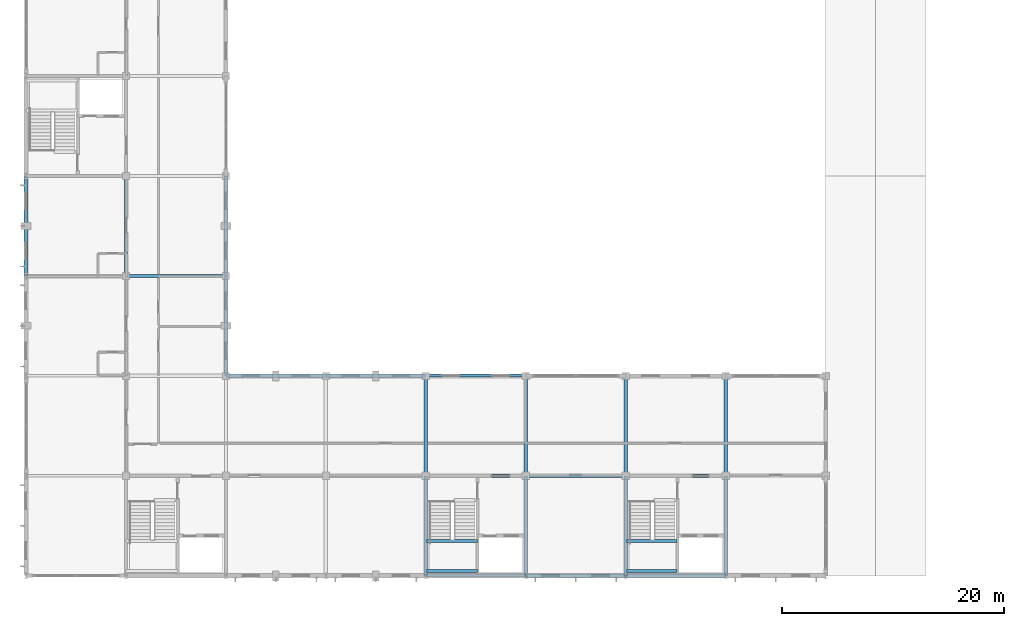
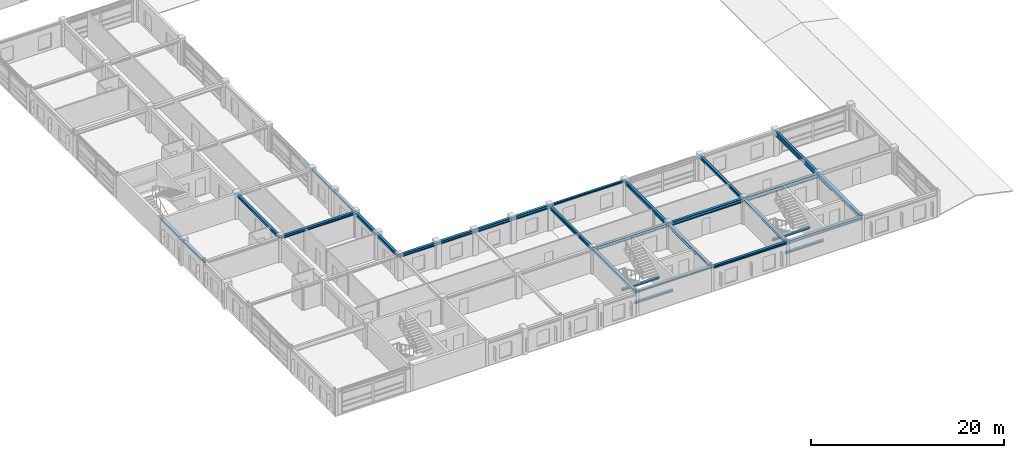
# One storey, part 16 of 91: 26 beams.
"""IFC4 building model written with IfcOpenShell, lengths in metres."""

from ifc_helpers import new_model, si_unit, direction, frame, origin, origin_2d, place, context, subcontext, project, spatial, i_section, extrude, material, material_profile, profile_set, type_object, element, save


model = new_model("IFC4")

# Units and contexts
model_context = context("Model", 3, precision=1e-05, world=origin(), true_north=direction((0.0, 1.0)))
body_context = subcontext(model_context, "Body", "Model", "MODEL_VIEW")
ifc_project = project(units=[si_unit("LENGTHUNIT", "METRE"), si_unit("AREAUNIT", "SQUARE_METRE"), si_unit("VOLUMEUNIT", "CUBIC_METRE"), si_unit("PLANEANGLEUNIT", "RADIAN"), si_unit("MASSUNIT", "GRAM", prefix="KILO")], contexts=[model_context])

# Site, building, storey
site_placement = place(None, origin())
site = spatial("IfcSite", under=ifc_project, at=site_placement, CompositionType="ELEMENT")
building_placement = place(site_placement, origin())
building = spatial("IfcBuilding", under=site, at=building_placement, Name="Palais des Congres Ocreval", CompositionType="ELEMENT")
storey_placement = place(building_placement, frame((0.0, 0.0, 8.159912109375)))
storey = spatial("IfcBuildingStorey", under=building, at=storey_placement, Name="L02", CompositionType="ELEMENT", Elevation=8.159912109375)

# Beams
ifc_material = material(Name="Steel S355", Category="steel")
ifc_material_profile_1 = material_profile(ifc_material, i_section(OverallWidth=0.260009765625, OverallDepth=0.260009765625, WebThickness=0.010009765625, FlangeThickness=0.017578125, at=origin_2d()), Name="HEB 260")
ifc_profile_set_1 = profile_set([ifc_material_profile_1], Name="Steel S355")
beam_type_1 = type_object("IfcBeamType", Name="Opening Lintel HEB 260 Steel S355", PredefinedType="LINTEL", material=ifc_profile_set_1)
for number, where, z_axis, x_axis, name in (
    (1, (0.0, 27.02001953125, 2.969970703125), (0.0, 1.0, 0.0), (-1.0, 0.0, 0.0), "Girder LN01 L02"),
    (2, (18.0, 27.02001953125, 2.969970703125), (0.0, 1.0, 0.0), (-1.0, 0.0, 0.0), "Girder LN01 L02"),
):
    element("IfcBeam", number, at=place(storey_placement, frame(where, z_axis=z_axis, x_axis=x_axis)), inside=storey, type_object=beam_type_1, Name=name, PredefinedType="LINTEL", context=body_context, shape_type="SweptSolid", body=[
        extrude(i_section(OverallWidth=0.260009765625, OverallDepth=0.260009765625, WebThickness=0.010009765625, FlangeThickness=0.017578125, at=origin_2d()), origin(), (0.0, 0.0, 1.0), 8.9599609375),
    ])
for number, where, z_axis, x_axis, name in (
    (3, (36.02001953125, 0.419921875, 1.35009765625), (1.0, 0.0, 0.0), (0.0, 1.0, 0.0), "Stair Landing Support Beam ST02 L02-1"),
    (4, (36.02001953125, 3.1201171875, 1.35009765625), (1.0, 0.0, 0.0), (0.0, 1.0, 0.0), "Stair Landing Support Beam ST02 L02-2"),
    (5, (54.02001953125, 0.419921875, 1.35009765625), (1.0, 0.0, 0.0), (0.0, 1.0, 0.0), "Stair Landing Support Beam ST04 L02-1"),
    (6, (54.02001953125, 3.1201171875, 1.35009765625), (1.0, 0.0, 0.0), (0.0, 1.0, 0.0), "Stair Landing Support Beam ST04 L02-2"),
):
    element("IfcBeam", number, at=place(storey_placement, frame(where, z_axis=z_axis, x_axis=x_axis)), inside=storey, type_object=beam_type_1, Name=name, PredefinedType="LINTEL", context=body_context, shape_type="SweptSolid", body=[
        extrude(i_section(OverallWidth=0.260009765625, OverallDepth=0.260009765625, WebThickness=0.010009765625, FlangeThickness=0.017578125, at=origin_2d()), origin(), (0.0, 0.0, 1.0), 4.60986328125),
    ])
ifc_material_profile_2 = material_profile(ifc_material, i_section(OverallWidth=0.239990234375, OverallDepth=0.22998046875, WebThickness=0.007568359375, FlangeThickness=0.011962890625, at=origin_2d()), Name="HEA 240")
ifc_profile_set_2 = profile_set([ifc_material_profile_2], Name="Steel S355")
beam_type_2 = type_object("IfcBeamType", Name="Perimeter Spandrel HEA 240 Steel S355", PredefinedType="SPANDREL", material=ifc_profile_set_2)
for number, where, z_axis, x_axis, name in (
    (7, (36.02001953125, 0.0, 2.985107421875), (1.0, 0.0, 0.0), (0.0, 1.0, 0.0), "Beam SP01 L02"),
    (8, (36.02001953125, 18.0, 2.985107421875), (1.0, 0.0, 0.0), (0.0, 1.0, 0.0), "Beam SP01 L02"),
):
    element("IfcBeam", number, at=place(storey_placement, frame(where, z_axis=z_axis, x_axis=x_axis)), inside=storey, type_object=beam_type_2, Name=name, PredefinedType="SPANDREL", context=body_context, shape_type="SweptSolid", body=[
        extrude(i_section(OverallWidth=0.239990234375, OverallDepth=0.22998046875, WebThickness=0.007568359375, FlangeThickness=0.011962890625, at=origin_2d()), origin(), (0.0, 0.0, 1.0), 8.9599609375),
    ])
ifc_material_profile_3 = material_profile(ifc_material, i_section(OverallWidth=0.300048828125, OverallDepth=0.300048828125, WebThickness=0.010986328125, FlangeThickness=0.01904296875, at=origin_2d()), Name="HEB 300")
ifc_profile_set_3 = profile_set([ifc_material_profile_3], Name="Steel S355")
beam_type_3 = type_object("IfcBeamType", Name="Perimeter Spandrel HEB 300 Steel S355", PredefinedType="SPANDREL", material=ifc_profile_set_3)
for number, where, z_axis, x_axis, name in (
    (9, (45.02001953125, 0.0, 2.9501953125), (1.0, 0.0, 0.0), (0.0, 1.0, 0.0), "Beam SP02 L02"),
    (10, (54.0, 0.02001953125, 2.9501953125), (0.0, 1.0, 0.0), (-1.0, 0.0, 0.0), "Girder SP02 L02"),
):
    element("IfcBeam", number, at=place(storey_placement, frame(where, z_axis=z_axis, x_axis=x_axis)), inside=storey, type_object=beam_type_3, Name=name, PredefinedType="SPANDREL", context=body_context, shape_type="SweptSolid", body=[
        extrude(i_section(OverallWidth=0.300048828125, OverallDepth=0.300048828125, WebThickness=0.010986328125, FlangeThickness=0.01904296875, at=origin_2d()), origin(), (0.0, 0.0, 1.0), 8.9599609375),
    ])
ifc_material_profile_4 = material_profile(ifc_material, i_section(OverallWidth=0.300048828125, OverallDepth=0.360107421875, WebThickness=0.012451171875, FlangeThickness=0.0224609375, at=origin_2d()), Name="HEB 360")
ifc_profile_set_4 = profile_set([ifc_material_profile_4], Name="Steel S355")
beam_type_4 = type_object("IfcBeamType", Name="Perimeter Spandrel HEB 360 Steel S355", PredefinedType="SPANDREL", material=ifc_profile_set_4)
for number, where, z_axis, x_axis, name in (
    (11, (18.02001953125, 18.0, 2.920166015625), (1.0, 0.0, 0.0), (0.0, 1.0, 0.0), "Beam SP03 L02"),
    (12, (54.02001953125, 0.0, 2.920166015625), (1.0, 0.0, 0.0), (0.0, 1.0, 0.0), "Beam SP03 L02"),
    (13, (54.0, 9.02001953125, 2.920166015625), (0.0, 1.0, 0.0), (-1.0, 0.0, 0.0), "Girder SP03 L02"),
):
    element("IfcBeam", number, at=place(storey_placement, frame(where, z_axis=z_axis, x_axis=x_axis)), inside=storey, type_object=beam_type_4, Name=name, PredefinedType="SPANDREL", context=body_context, shape_type="SweptSolid", body=[
        extrude(i_section(OverallWidth=0.300048828125, OverallDepth=0.360107421875, WebThickness=0.012451171875, FlangeThickness=0.0224609375, at=origin_2d()), origin(), (0.0, 0.0, 1.0), 8.9599609375),
    ])
ifc_material_profile_5 = material_profile(ifc_material, i_section(OverallWidth=0.300048828125, OverallDepth=0.39990234375, WebThickness=0.013427734375, FlangeThickness=0.02392578125, at=origin_2d()), Name="HEB 400")
ifc_profile_set_5 = profile_set([ifc_material_profile_5], Name="Steel S355")
beam_type_5 = type_object("IfcBeamType", Name="Perimeter Spandrel HEB 400 Steel S355", PredefinedType="SPANDREL", material=ifc_profile_set_5)
for number, where, z_axis, x_axis, name in (
    (14, (18.0, 18.02001953125, 2.900146484375), (0.0, 1.0, 0.0), (-1.0, 0.0, 0.0), "Girder SP04 L02"),
    (15, (27.02001953125, 18.0, 2.900146484375), (1.0, 0.0, 0.0), (0.0, 1.0, 0.0), "Beam SP04 L02"),
):
    element("IfcBeam", number, at=place(storey_placement, frame(where, z_axis=z_axis, x_axis=x_axis)), inside=storey, type_object=beam_type_5, Name=name, PredefinedType="SPANDREL", context=body_context, shape_type="SweptSolid", body=[
        extrude(i_section(OverallWidth=0.300048828125, OverallDepth=0.39990234375, WebThickness=0.013427734375, FlangeThickness=0.02392578125, at=origin_2d()), origin(), (0.0, 0.0, 1.0), 8.9599609375),
    ])
ifc_material_profile_6 = material_profile(ifc_material, i_section(OverallWidth=0.300048828125, OverallDepth=0.330078125, WebThickness=0.009521484375, FlangeThickness=0.0166015625, at=origin_2d()), Name="HEA 340")
ifc_profile_set_6 = profile_set([ifc_material_profile_6], Name="Steel S355")
beam_type_6 = type_object("IfcBeamType", Name="Primary Beam HEA 340 Steel S355", PredefinedType="BEAM", material=ifc_profile_set_6)
for number, where, z_axis, x_axis, name in (
    (16, (9.02001953125, 27.0, 2.93505859375), (1.0, 0.0, 0.0), (0.0, 1.0, 0.0), "Beam B09 L02"),
    (17, (9.0, 27.02001953125, 2.93505859375), (0.0, 1.0, 0.0), (-1.0, 0.0, 0.0), "Girder B09 L02"),
    (18, (36.0, 0.02001953125, 2.93505859375), (0.0, 1.0, 0.0), (-1.0, 0.0, 0.0), "Girder B09 L02"),
):
    element("IfcBeam", number, at=place(storey_placement, frame(where, z_axis=z_axis, x_axis=x_axis)), inside=storey, type_object=beam_type_6, Name=name, PredefinedType="BEAM", context=body_context, shape_type="SweptSolid", body=[
        extrude(i_section(OverallWidth=0.300048828125, OverallDepth=0.330078125, WebThickness=0.009521484375, FlangeThickness=0.0166015625, at=origin_2d()), origin(), (0.0, 0.0, 1.0), 8.9599609375),
    ])
ifc_material_profile_7 = material_profile(ifc_material, i_section(OverallWidth=0.300048828125, OverallDepth=0.389892578125, WebThickness=0.010986328125, FlangeThickness=0.01904296875, at=origin_2d()), Name="HEA 400")
ifc_profile_set_7 = profile_set([ifc_material_profile_7], Name="Steel S355")
beam_type_7 = type_object("IfcBeamType", Name="Primary Beam HEA 400 Steel S355", PredefinedType="BEAM", material=ifc_profile_set_7)
for number, where, z_axis, x_axis, name in (
    (19, (36.02001953125, 9.0, 2.905029296875), (1.0, 0.0, 0.0), (0.0, 1.0, 0.0), "Beam B10 L02"),
    (20, (36.0, 9.02001953125, 2.905029296875), (0.0, 1.0, 0.0), (-1.0, 0.0, 0.0), "Girder B10 L02"),
    (21, (45.0, 0.02001953125, 2.905029296875), (0.0, 1.0, 0.0), (-1.0, 0.0, 0.0), "Girder B10 L02"),
):
    element("IfcBeam", number, at=place(storey_placement, frame(where, z_axis=z_axis, x_axis=x_axis)), inside=storey, type_object=beam_type_7, Name=name, PredefinedType="BEAM", context=body_context, shape_type="SweptSolid", body=[
        extrude(i_section(OverallWidth=0.300048828125, OverallDepth=0.389892578125, WebThickness=0.010986328125, FlangeThickness=0.01904296875, at=origin_2d()), origin(), (0.0, 0.0, 1.0), 8.9599609375),
    ])
ifc_material_profile_8 = material_profile(ifc_material, i_section(OverallWidth=0.300048828125, OverallDepth=0.43994140625, WebThickness=0.011474609375, FlangeThickness=0.02099609375, at=origin_2d()), Name="HEA 450")
ifc_profile_set_8 = profile_set([ifc_material_profile_8], Name="Steel S355")
beam_type_8 = type_object("IfcBeamType", Name="Primary Beam HEA 450 Steel S355", PredefinedType="BEAM", material=ifc_profile_set_8)
for number, where, z_axis, x_axis, name in (
    (22, (45.02001953125, 9.0, 2.880126953125), (1.0, 0.0, 0.0), (0.0, 1.0, 0.0), "Beam B11 L02"),
    (23, (45.0, 9.02001953125, 2.880126953125), (0.0, 1.0, 0.0), (-1.0, 0.0, 0.0), "Girder B11 L02"),
):
    element("IfcBeam", number, at=place(storey_placement, frame(where, z_axis=z_axis, x_axis=x_axis)), inside=storey, type_object=beam_type_8, Name=name, PredefinedType="BEAM", context=body_context, shape_type="SweptSolid", body=[
        extrude(i_section(OverallWidth=0.300048828125, OverallDepth=0.43994140625, WebThickness=0.011474609375, FlangeThickness=0.02099609375, at=origin_2d()), origin(), (0.0, 0.0, 1.0), 8.9599609375),
    ])
ifc_material_profile_9 = material_profile(ifc_material, i_section(OverallWidth=0.300048828125, OverallDepth=0.489990234375, WebThickness=0.011962890625, FlangeThickness=0.02294921875, at=origin_2d()), Name="HEA 500")
ifc_profile_set_9 = profile_set([ifc_material_profile_9], Name="Steel S355")
beam_type_9 = type_object("IfcBeamType", Name="Primary Beam HEA 500 Steel S355", PredefinedType="BEAM", material=ifc_profile_set_9)
for number, where, z_axis, x_axis, name in (
    (24, (54.02001953125, 9.0, 2.85498046875), (1.0, 0.0, 0.0), (0.0, 1.0, 0.0), "Beam B12 L02"),
    (25, (63.0, 0.02001953125, 2.85498046875), (0.0, 1.0, 0.0), (-1.0, 0.0, 0.0), "Girder B12 L02"),
):
    element("IfcBeam", number, at=place(storey_placement, frame(where, z_axis=z_axis, x_axis=x_axis)), inside=storey, type_object=beam_type_9, Name=name, PredefinedType="BEAM", context=body_context, shape_type="SweptSolid", body=[
        extrude(i_section(OverallWidth=0.300048828125, OverallDepth=0.489990234375, WebThickness=0.011962890625, FlangeThickness=0.02294921875, at=origin_2d()), origin(), (0.0, 0.0, 1.0), 8.9599609375),
    ])
ifc_material_profile_10 = material_profile(ifc_material, i_section(OverallWidth=0.300048828125, OverallDepth=0.590087890625, WebThickness=0.012939453125, FlangeThickness=0.02490234375, at=origin_2d()), Name="HEA 600")
ifc_profile_set_10 = profile_set([ifc_material_profile_10], Name="Steel S355")
beam_type_10 = type_object("IfcBeamType", Name="Primary Girder HEA 600 Steel S355", PredefinedType="BEAM", material=ifc_profile_set_10)
beam_placement = place(storey_placement, frame((63.0, 9.02001953125, 2.80517578125), z_axis=(0.0, 1.0, 0.0), x_axis=(-1.0, 0.0, 0.0)))
element("IfcBeam", 26, at=beam_placement, inside=storey, type_object=beam_type_10, Name="Girder B13 L02", PredefinedType="BEAM", context=body_context, shape_type="SweptSolid", body=[
    extrude(i_section(OverallWidth=0.300048828125, OverallDepth=0.590087890625, WebThickness=0.012939453125, FlangeThickness=0.02490234375, at=origin_2d()), origin(), (0.0, 0.0, 1.0), 8.9599609375),
])

save(model, "model.ifc")
